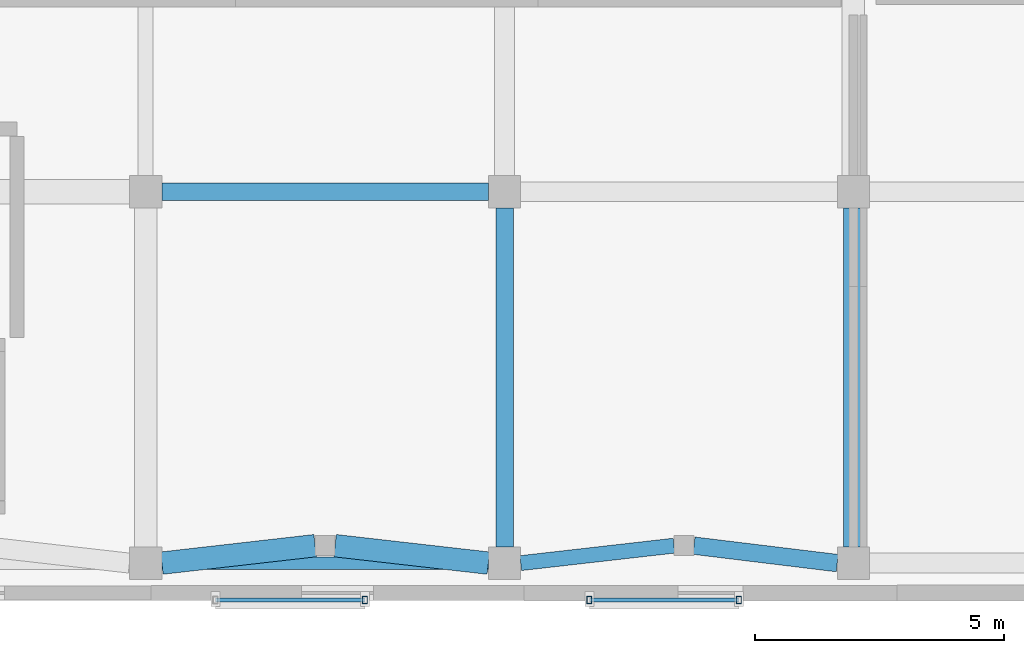
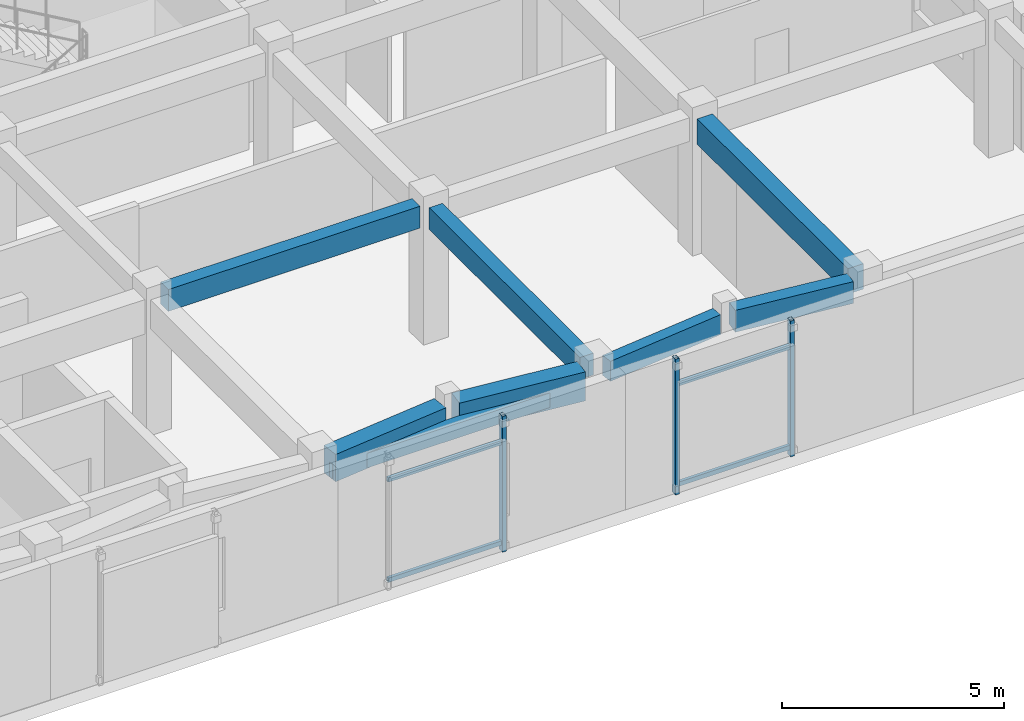
# One storey, part 25 of 146: 8 beams, 7 members.
"""IFC4 building model written with IfcOpenShell, lengths in metres."""

from ifc_helpers import new_model, si_unit, direction, frame, origin, origin_2d, place, context, subcontext, project, spatial, rectangle, hollow_rectangle, extrude, material, material_profile, profile_set, type_object, element, save


model = new_model("IFC4")

# Units and contexts
model_context = context("Model", 3, precision=1e-05, world=origin(), true_north=direction((0.0, 1.0)))
body_context = subcontext(model_context, "Body", "Model", "MODEL_VIEW")
ifc_project = project(units=[si_unit("LENGTHUNIT", "METRE"), si_unit("AREAUNIT", "SQUARE_METRE"), si_unit("VOLUMEUNIT", "CUBIC_METRE"), si_unit("PLANEANGLEUNIT", "RADIAN"), si_unit("MASSUNIT", "GRAM", prefix="KILO")], contexts=[model_context])

# Site, building, storey
site_placement = place(None, origin())
site = spatial("IfcSite", under=ifc_project, at=site_placement, CompositionType="ELEMENT")
building_placement = place(site_placement, origin())
building = spatial("IfcBuilding", under=site, at=building_placement, Name="Valcora Specialist Clinic", CompositionType="ELEMENT")
storey_placement = place(building_placement, frame((0.0, 0.0, 9.52001953125)))
storey = spatial("IfcBuildingStorey", under=building, at=storey_placement, Name="L02", CompositionType="ELEMENT", Elevation=9.52001953125)

# Beams
ifc_material_1 = material(Name="Concrete C40/50", Category="concrete")
ifc_material_profile_1 = material_profile(ifc_material_1, rectangle(XDim=0.300048828125, YDim=0.550048828125, at=origin_2d()), Name="RC-BM-300X550")
ifc_profile_set_1 = profile_set([ifc_material_profile_1], Name="Concrete C40/50")
beam_type_1 = type_object("IfcBeamType", Name="TY-BM-RC300X550", PredefinedType="BEAM", material=ifc_profile_set_1)
beam_1_placement = place(storey_placement, frame((38.125, 0.75, 3.4599609375), z_axis=(0.993580893822, 0.113123858812, 0.0), x_axis=(-0.113123858812, 0.993580893822, 0.0)))
element("IfcBeam", 1, at=beam_1_placement, inside=storey, type_object=beam_type_1, Name="Beam BM-L02-0985", PredefinedType="BEAM", context=body_context, shape_type="SweptSolid", body=[
    extrude(rectangle(XDim=0.300048828125, YDim=0.550048828125, at=origin_2d()), origin(), (0.0, 0.0, 1.0), 3.0947265625),
])
ifc_material_profile_2 = material_profile(ifc_material_1, rectangle(XDim=0.35009765625, YDim=0.60009765625, at=origin_2d()), Name="RC-BM-350X600")
ifc_profile_set_2 = profile_set([ifc_material_profile_2], Name="Concrete C40/50")
beam_type_2 = type_object("IfcBeamType", Name="TY-BM-RC350X600", PredefinedType="BEAM", material=ifc_profile_set_2)
beam_2_placement = place(storey_placement, frame((41.60009765625, 1.10009765625, 3.43505859375), z_axis=(0.992667109146, -0.120880148991, 0.0), x_axis=(0.120880148991, 0.992667109146, 0.0)))
element("IfcBeam", 2, at=beam_2_placement, inside=storey, type_object=beam_type_2, Name="Beam BM-L02-0986", PredefinedType="BEAM", context=body_context, shape_type="SweptSolid", body=[
    extrude(rectangle(XDim=0.35009765625, YDim=0.60009765625, at=origin_2d()), origin(), (0.0, 0.0, 1.0), 2.896240234375),
])
beam_3_placement = place(storey_placement, frame((30.925048828125, 8.199951171875, 3.43505859375), z_axis=(1.0, 0.0, 0.0), x_axis=(0.0, 1.0, 0.0)))
element("IfcBeam", 3, at=beam_3_placement, inside=storey, type_object=beam_type_2, Name="Beam BM-L02-0992", PredefinedType="BEAM", context=body_context, shape_type="SweptSolid", body=[
    extrude(rectangle(XDim=0.35009765625, YDim=0.60009765625, at=origin_2d()), origin(), (0.0, 0.0, 1.0), 6.550048828125),
])
beam_4_placement = place(storey_placement, frame((37.800048828125, 1.074951171875, 3.43505859375), z_axis=(0.0, 1.0, 0.0), x_axis=(-1.0, 0.0, 0.0)))
element("IfcBeam", 4, at=beam_4_placement, inside=storey, type_object=beam_type_2, Name="Beam BM-L02-1020", PredefinedType="BEAM", context=body_context, shape_type="SweptSolid", body=[
    extrude(rectangle(XDim=0.35009765625, YDim=0.60009765625, at=origin_2d()), origin(), (0.0, 0.0, 1.0), 6.800048828125),
])
ifc_material_profile_3 = material_profile(ifc_material_1, rectangle(XDim=0.39990234375, YDim=0.699951171875, at=origin_2d()), Name="RC-BM-400X700")
ifc_profile_set_3 = profile_set([ifc_material_profile_3], Name="Concrete C40/50")
beam_type_3 = type_object("IfcBeamType", Name="TY-BM-RC400X700", PredefinedType="BEAM", material=ifc_profile_set_3)
beam_5_placement = place(storey_placement, frame((44.800048828125, 1.074951171875, 3.385009765625), z_axis=(0.0, 1.0, 0.0), x_axis=(-1.0, 0.0, 0.0)))
element("IfcBeam", 5, at=beam_5_placement, inside=storey, type_object=beam_type_3, Name="Beam BM-L02-1022", PredefinedType="BEAM", context=body_context, shape_type="SweptSolid", body=[
    extrude(rectangle(XDim=0.39990234375, YDim=0.699951171875, at=origin_2d()), origin(), (0.0, 0.0, 1.0), 6.800048828125),
])
ifc_material_profile_4 = material_profile(ifc_material_1, rectangle(XDim=0.449951171875, YDim=0.75, at=origin_2d()), Name="RC-BM-450X750")
ifc_profile_set_4 = profile_set([ifc_material_profile_4], Name="Concrete C40/50")
beam_type_4 = type_object("IfcBeamType", Name="TY-BM-RC450X750", PredefinedType="BEAM", material=ifc_profile_set_4)
beam_6_placement = place(storey_placement, frame((30.925048828125, 0.75, 3.35986328125), z_axis=(0.993580893822, 0.113123858812, 0.0), x_axis=(-0.113123858812, 0.993580893822, 0.0)))
element("IfcBeam", 6, at=beam_6_placement, inside=storey, type_object=beam_type_4, Name="Beam BM-L02-0983", PredefinedType="BEAM", context=body_context, shape_type="SweptSolid", body=[
    extrude(rectangle(XDim=0.449951171875, YDim=0.75, at=origin_2d()), origin(), (0.0, 0.0, 1.0), 3.0947265625),
])
ifc_material_profile_5 = material_profile(ifc_material_1, rectangle(XDim=0.449951171875, YDim=0.800048828125, at=origin_2d()), Name="RC-BM-450X800")
ifc_profile_set_5 = profile_set([ifc_material_profile_5], Name="Concrete C40/50")
beam_type_5 = type_object("IfcBeamType", Name="TY-BM-RC450X800", PredefinedType="BEAM", material=ifc_profile_set_5)
beam_7_placement = place(storey_placement, frame((34.39990234375, 1.10009765625, 3.3349609375), z_axis=(0.99358190322, -0.113114992793, 0.0), x_axis=(0.113114992793, 0.99358190322, 0.0)))
element("IfcBeam", 7, at=beam_7_placement, inside=storey, type_object=beam_type_5, Name="Beam BM-L02-0984", PredefinedType="BEAM", context=body_context, shape_type="SweptSolid", body=[
    extrude(rectangle(XDim=0.449951171875, YDim=0.800048828125, at=origin_2d()), origin(), (0.0, 0.0, 1.0), 3.094970703125),
])
ifc_material_profile_6 = material_profile(ifc_material_1, rectangle(XDim=0.25, YDim=0.39990234375, at=origin_2d()), Name="RC-LN-250X400")
ifc_profile_set_6 = profile_set([ifc_material_profile_6], Name="Concrete C40/50")
beam_type_6 = type_object("IfcBeamType", Name="TY-LN-RC250X400", PredefinedType="LINTEL", material=ifc_profile_set_6)
beam_8_placement = place(storey_placement, frame((30.925048828125, 0.75, 3.199951171875), z_axis=(1.0, 0.0, 0.0), x_axis=(0.0, 1.0, 0.0)))
element("IfcBeam", 8, at=beam_8_placement, inside=storey, type_object=beam_type_6, Name="Facade lintel 3 BM-L02-1652", PredefinedType="LINTEL", context=body_context, shape_type="SweptSolid", body=[
    extrude(rectangle(XDim=0.25, YDim=0.39990234375, at=origin_2d()), origin(), (0.0, 0.0, 1.0), 6.550048828125),
])

# Members
ifc_material_2 = material(Name="Steel ASTM A500 Grade C", Category="steel")
ifc_material_profile_7 = material_profile(ifc_material_2, hollow_rectangle(XDim=0.10009765625, YDim=0.14990234375, WallThickness=0.006103515625, at=origin_2d()), Name="ST-RHS-150X100X6")
ifc_profile_set_7 = profile_set([ifc_material_profile_7], Name="Steel ASTM A500 Grade C")
member_type_1 = type_object("IfcMemberType", Name="TY-MB-SFPOST", PredefinedType="POST", material=ifc_profile_set_7)
for number, where, z_axis, x_axis, name in (
    (9, (35.0, 0.010009765625, 0.0), (0.0, 0.0, 1.0), (1.0, 0.0, 0.0), "Brick screen carrier post 90"),
    (10, (39.5, 0.010009765625, 0.0), (0.0, 0.0, 1.0), (1.0, 0.0, 0.0), "Brick screen carrier post 93"),
    (11, (42.5, 0.010009765625, 0.0), (0.0, 0.0, 1.0), (1.0, 0.0, 0.0), "Brick screen carrier post 94"),
):
    element("IfcMember", number, at=place(storey_placement, frame(where, z_axis=z_axis, x_axis=x_axis)), inside=storey, type_object=member_type_1, Name=name, PredefinedType="POST", context=body_context, shape_type="SweptSolid", body=[
        extrude(hollow_rectangle(XDim=0.10009765625, YDim=0.14990234375, WallThickness=0.006103515625, at=origin_2d()), origin(), (0.0, 0.0, 1.0), 3.73486328125),
    ])
ifc_material_profile_8 = material_profile(ifc_material_2, hollow_rectangle(XDim=0.080078125, YDim=0.1201171875, WallThickness=0.0048828125, at=origin_2d()), Name="ST-RHS-120X80X5")
ifc_profile_set_8 = profile_set([ifc_material_profile_8], Name="Steel ASTM A500 Grade C")
member_type_2 = type_object("IfcMemberType", Name="TY-MB-SFRAIL", PredefinedType="STRINGER", material=ifc_profile_set_8)
for number, where, z_axis, x_axis, name in (
    (12, (32.0, 0.010009765625, 0.239990234375), (1.0, 0.0, 0.0), (0.0, 1.0, 0.0), "Brick screen carrier rail 91"),
    (13, (32.0, 0.010009765625, 3.0), (1.0, 0.0, 0.0), (0.0, 1.0, 0.0), "Brick screen carrier rail 92"),
    (14, (39.5, 0.010009765625, 0.239990234375), (1.0, 0.0, 0.0), (0.0, 1.0, 0.0), "Brick screen carrier rail 95"),
    (15, (39.5, 0.010009765625, 3.0), (1.0, 0.0, 0.0), (0.0, 1.0, 0.0), "Brick screen carrier rail 96"),
):
    element("IfcMember", number, at=place(storey_placement, frame(where, z_axis=z_axis, x_axis=x_axis)), inside=storey, type_object=member_type_2, Name=name, PredefinedType="STRINGER", context=body_context, shape_type="SweptSolid", body=[
        extrude(hollow_rectangle(XDim=0.080078125, YDim=0.1201171875, WallThickness=0.0048828125, at=origin_2d()), origin(), (0.0, 0.0, 1.0), 3.0),
    ])

save(model, "model.ifc")
